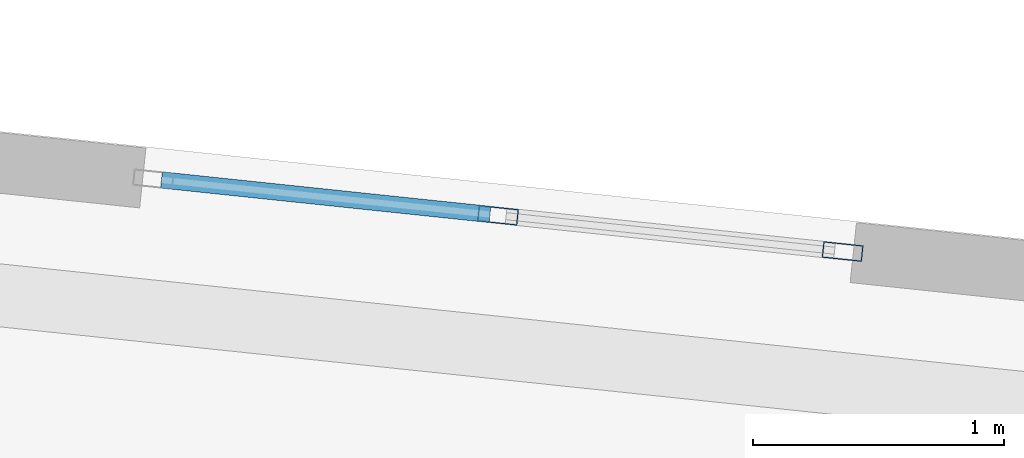
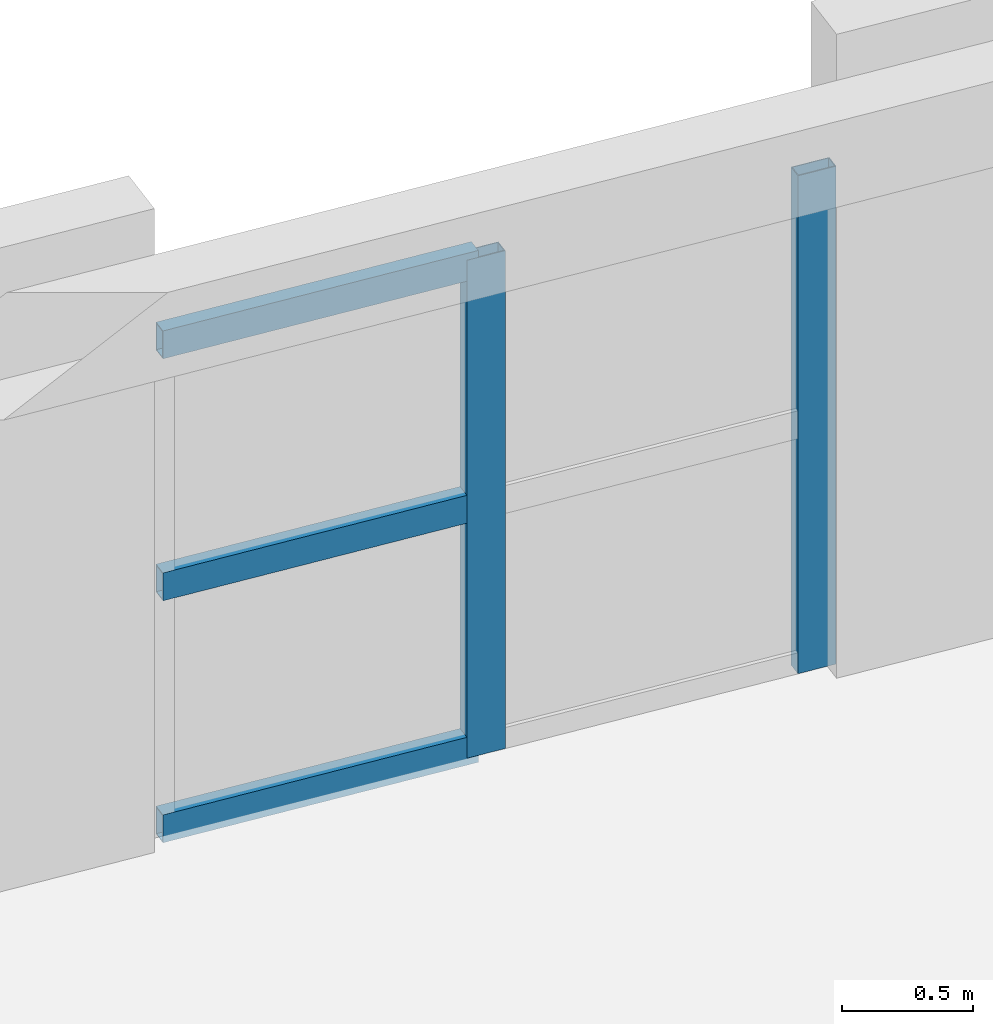
# One storey, part 62 of 127: 5 members, 1 element without a shape of its own.
"""IFC4 building model written with IfcOpenShell, lengths in metres."""

from ifc_helpers import new_model, si_unit, direction, frame, origin, origin_2d, place, context, subcontext, project, spatial, hollow_rectangle, extrude, material, material_profile, profile_set, type_object, element, aggregate, save


model = new_model("IFC4")

# Units and contexts
model_context = context("Model", 3, precision=1e-05, world=origin(), true_north=direction((0.0, 1.0)))
body_context = subcontext(model_context, "Body", "Model", "MODEL_VIEW")
ifc_project = project(units=[si_unit("LENGTHUNIT", "METRE"), si_unit("AREAUNIT", "SQUARE_METRE"), si_unit("VOLUMEUNIT", "CUBIC_METRE"), si_unit("PLANEANGLEUNIT", "RADIAN"), si_unit("MASSUNIT", "GRAM", prefix="KILO")], contexts=[model_context])

# Site, building, storey
site_placement = place(None, origin())
site = spatial("IfcSite", under=ifc_project, at=site_placement, CompositionType="ELEMENT")
building_placement = place(site_placement, origin())
building = spatial("IfcBuilding", under=site, at=building_placement, Name="Kestramere Prow Commons", CompositionType="ELEMENT")
storey_placement = place(building_placement, frame((0.0, 0.0, 8.39990234375)))
storey = spatial("IfcBuildingStorey", under=building, at=storey_placement, Name="L02", CompositionType="ELEMENT", Elevation=8.39990234375)

# Curtain wall, members
ifc_material_1 = material(Name="Anodised Aluminium and Low-E Glass", Category="aluminium")
curtain_wall_type = type_object("IfcCurtainWallType", Name="CW-03 Glazed Curtain Wall 2830x2320", PredefinedType="USERDEFINED", material=ifc_material_1)
curtain_wall_placement = place(storey_placement, origin())
curtain_wall = element("IfcCurtainWall", 1, at=curtain_wall_placement, inside=storey, type_object=curtain_wall_type, Name="Block B L02 Stairwell Vertical Glazing 5", ObjectType="GLAZED CURTAIN WALL", PredefinedType="USERDEFINED")
ifc_material_2 = material(Name="Anodised Aluminium 6063-T6", Category="aluminium")
ifc_material_profile_1 = material_profile(ifc_material_2, hollow_rectangle(XDim=0.06494140625, YDim=0.159912109375, WallThickness=0.00390625, at=origin_2d()), Name="ALU-MUL 65x160")
ifc_profile_set_1 = profile_set([ifc_material_profile_1], Name="Anodised Aluminium 6063-T6")
member_type_1 = type_object("IfcMemberType", Name="CW-MUL-65x160", PredefinedType="MULLION", material=ifc_profile_set_1)
member_1_placement = place(storey_placement, frame((147.906494140625, 111.0517578125, 0.0), z_axis=(0.0, 0.0, 1.0), x_axis=(0.104528269348, 0.99452191575, 0.0)))
member_1 = element("IfcMember", 2, at=member_1_placement, type_object=member_type_1, Name="CW-03 mullion 2", PredefinedType="MULLION", context=body_context, shape_type="SweptSolid", body=[
    extrude(hollow_rectangle(XDim=0.06494140625, YDim=0.159912109375, WallThickness=0.00390625, at=origin_2d()), origin(), (0.0, 0.0, 1.0), 2.320068359375),
])
member_2_placement = place(storey_placement, frame((149.28125, 110.9072265625, 0.0), z_axis=(0.0, 0.0, 1.0), x_axis=(0.104528269348, 0.99452191575, 0.0)))
member_2 = element("IfcMember", 3, at=member_2_placement, type_object=member_type_1, Name="CW-03 mullion 3", PredefinedType="MULLION", context=body_context, shape_type="SweptSolid", body=[
    extrude(hollow_rectangle(XDim=0.06494140625, YDim=0.159912109375, WallThickness=0.00390625, at=origin_2d()), origin(), (0.0, 0.0, 1.0), 2.320068359375),
])
ifc_material_profile_2 = material_profile(ifc_material_2, hollow_rectangle(XDim=0.06494140625, YDim=0.1298828125, WallThickness=0.00390625, at=origin_2d()), Name="ALU-TRN 65x130")
ifc_profile_set_2 = profile_set([ifc_material_profile_2], Name="Anodised Aluminium 6063-T6")
member_type_2 = type_object("IfcMemberType", Name="CW-TRN-65x130", PredefinedType="USERDEFINED", material=ifc_profile_set_2)
member_3_placement = place(storey_placement, frame((146.563720703125, 111.19287109375, 0.03271484375), z_axis=(0.994523714271, -0.104511156111, 0.0), x_axis=(0.104511156111, 0.994523714271, 0.0)))
member_3 = element("IfcMember", 4, at=member_3_placement, type_object=member_type_2, Name="CW-03 transom 1.1", ObjectType="TRANSOM", PredefinedType="USERDEFINED", context=body_context, shape_type="SweptSolid", body=[
    extrude(hollow_rectangle(XDim=0.06494140625, YDim=0.1298828125, WallThickness=0.00390625, at=origin_2d()), origin(), (0.0, 0.0, 1.0), 1.317626953125),
])
member_4_placement = place(storey_placement, frame((146.563720703125, 111.19287109375, 1.16015625), z_axis=(0.994523714271, -0.104511156111, 0.0), x_axis=(0.104511156111, 0.994523714271, 0.0)))
member_4 = element("IfcMember", 5, at=member_4_placement, type_object=member_type_2, Name="CW-03 transom 1.2", ObjectType="TRANSOM", PredefinedType="USERDEFINED", context=body_context, shape_type="SweptSolid", body=[
    extrude(hollow_rectangle(XDim=0.06494140625, YDim=0.1298828125, WallThickness=0.00390625, at=origin_2d()), origin(), (0.0, 0.0, 1.0), 1.317626953125),
])
member_5_placement = place(storey_placement, frame((146.563720703125, 111.19287109375, 2.28759765625), z_axis=(0.994523714271, -0.104511156111, 0.0), x_axis=(0.104511156111, 0.994523714271, 0.0)))
member_5 = element("IfcMember", 6, at=member_5_placement, type_object=member_type_2, Name="CW-03 transom 1.3", ObjectType="TRANSOM", PredefinedType="USERDEFINED", context=body_context, shape_type="SweptSolid", body=[
    extrude(hollow_rectangle(XDim=0.06494140625, YDim=0.1298828125, WallThickness=0.00390625, at=origin_2d()), origin(), (0.0, 0.0, 1.0), 1.317626953125),
])
aggregate(curtain_wall, [member_1, member_2, member_3, member_4, member_5])

save(model, "model.ifc")
